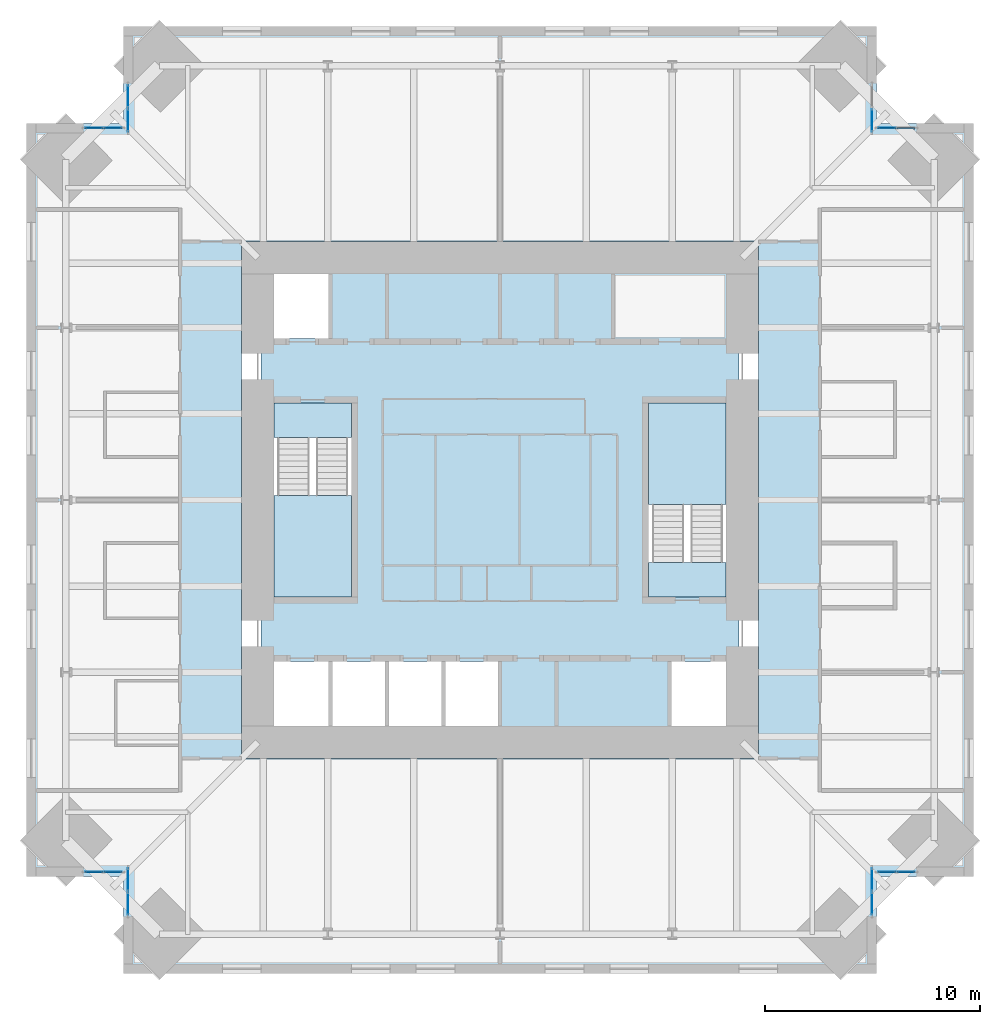
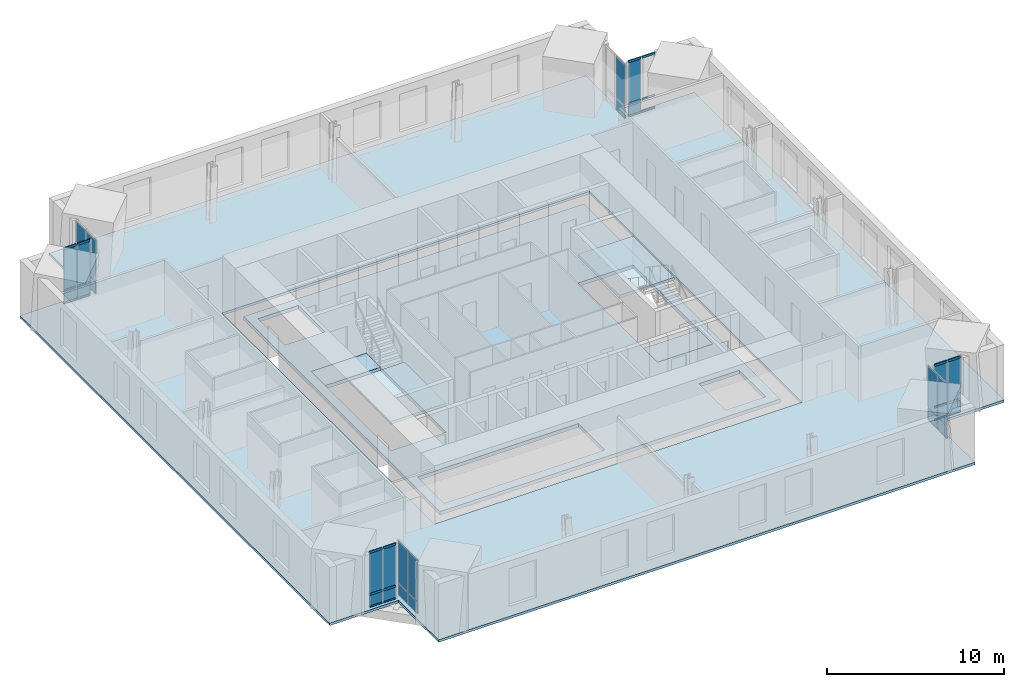
# One storey, part 10 of 16: 28 plates, 24 members, 6 slabs, 10 elements without a shape of their own.
"""IFC4 building model written with IfcOpenShell, lengths in metres."""

from ifc_helpers import new_model, si_unit, direction, frame, origin, origin_2d, place, context, subcontext, project, spatial, polyline, rectangle, hollow_rectangle, outline, extrude, material, layer, layer_set, material_profile, profile_set, type_object, element, aggregate, save


model = new_model("IFC4")

# Units and contexts
model_context = context("Model", 3, precision=1e-05, world=origin(), true_north=direction((0.0, 1.0)))
body_context = subcontext(model_context, "Body", "Model", "MODEL_VIEW")
ifc_project = project(units=[si_unit("LENGTHUNIT", "METRE"), si_unit("AREAUNIT", "SQUARE_METRE"), si_unit("VOLUMEUNIT", "CUBIC_METRE"), si_unit("PLANEANGLEUNIT", "RADIAN"), si_unit("MASSUNIT", "GRAM", prefix="KILO")], contexts=[model_context])

# Site, building, storey
site_placement = place(None, origin())
site = spatial("IfcSite", under=ifc_project, at=site_placement, CompositionType="ELEMENT")
building_placement = place(site_placement, origin())
building = spatial("IfcBuilding", under=site, at=building_placement, Name="Peilmerk Tower", CompositionType="ELEMENT")
storey_placement = place(building_placement, frame((0.0, 0.0, 265.800048828125)))
storey = spatial("IfcBuildingStorey", under=building, at=storey_placement, Name="L59", CompositionType="ELEMENT", Elevation=265.800048828125)

# Curtain wall, members
ifc_material_1 = material(Name="Aluminium stick curtain wall", Category="aluminium")
curtain_wall_type = type_object("IfcCurtainWallType", Name="CW4 stick curtain wall, 2250 module", PredefinedType="NOTDEFINED", material=ifc_material_1)
curtain_wall_1_placement = place(storey_placement, origin())
curtain_wall_1 = element("IfcCurtainWall", 1, at=curtain_wall_1_placement, inside=storey, type_object=curtain_wall_type, Name="Curtain wall CW4 NEB L59", PredefinedType="NOTDEFINED")
ifc_material_2 = material(Name="Aluminium EN AW-6063 T6", Category="aluminium")
ifc_material_profile = material_profile(ifc_material_2, hollow_rectangle(XDim=0.06494140625, YDim=0.14990234375, WallThickness=0.0029296875, at=origin_2d()), Name="AL 150x65x3")
ifc_profile_set = profile_set([ifc_material_profile], Name="Aluminium EN AW-6063 T6")
member_type = type_object("IfcMemberType", Name="CW4-T AL 150x65x3 transom", PredefinedType="USERDEFINED", material=ifc_profile_set)
member_1_placement = place(storey_placement, frame((17.56494140625, 17.27490234375, 0.032470703125), z_axis=(1.0, 0.0, 0.0), x_axis=(0.0, 1.0, 0.0)))
member_1 = element("IfcMember", 2, at=member_1_placement, type_object=member_type, Name="CW4 transom 1.1", ObjectType="TRANSOM", PredefinedType="USERDEFINED", context=body_context, shape_type="SweptSolid", body=[
    extrude(hollow_rectangle(XDim=0.06494140625, YDim=0.14990234375, WallThickness=0.0029296875, at=origin_2d()), origin(), (0.0, 0.0, 1.0), 0.82177734375),
])
member_2_placement = place(storey_placement, frame((17.56494140625, 17.27490234375, 0.89990234375), z_axis=(1.0, 0.0, 0.0), x_axis=(0.0, 1.0, 0.0)))
member_2 = element("IfcMember", 3, at=member_2_placement, type_object=member_type, Name="CW4 transom 1.2", ObjectType="TRANSOM", PredefinedType="USERDEFINED", context=body_context, shape_type="SweptSolid", body=[
    extrude(hollow_rectangle(XDim=0.06494140625, YDim=0.14990234375, WallThickness=0.0029296875, at=origin_2d()), origin(), (0.0, 0.0, 1.0), 0.82177734375),
])
member_3_placement = place(storey_placement, frame((17.56494140625, 17.27490234375, 3.79736328125), z_axis=(1.0, 0.0, 0.0), x_axis=(0.0, 1.0, 0.0)))
member_3 = element("IfcMember", 4, at=member_3_placement, type_object=member_type, Name="CW4 transom 1.3", ObjectType="TRANSOM", PredefinedType="USERDEFINED", context=body_context, shape_type="SweptSolid", body=[
    extrude(hollow_rectangle(XDim=0.06494140625, YDim=0.14990234375, WallThickness=0.0029296875, at=origin_2d()), origin(), (0.0, 0.0, 1.0), 0.82177734375),
])
member_4_placement = place(storey_placement, frame((18.451904296875, 17.27490234375, 0.032470703125), z_axis=(1.0, 0.0, 0.0), x_axis=(0.0, 1.0, 0.0)))
member_4 = element("IfcMember", 5, at=member_4_placement, type_object=member_type, Name="CW4 transom 2.1", ObjectType="TRANSOM", PredefinedType="USERDEFINED", context=body_context, shape_type="SweptSolid", body=[
    extrude(hollow_rectangle(XDim=0.06494140625, YDim=0.14990234375, WallThickness=0.0029296875, at=origin_2d()), origin(), (0.0, 0.0, 1.0), 0.82177734375),
])
member_5_placement = place(storey_placement, frame((18.451904296875, 17.27490234375, 0.89990234375), z_axis=(1.0, 0.0, 0.0), x_axis=(0.0, 1.0, 0.0)))
member_5 = element("IfcMember", 6, at=member_5_placement, type_object=member_type, Name="CW4 transom 2.2", ObjectType="TRANSOM", PredefinedType="USERDEFINED", context=body_context, shape_type="SweptSolid", body=[
    extrude(hollow_rectangle(XDim=0.06494140625, YDim=0.14990234375, WallThickness=0.0029296875, at=origin_2d()), origin(), (0.0, 0.0, 1.0), 0.82177734375),
])
member_6_placement = place(storey_placement, frame((18.451904296875, 17.27490234375, 3.79736328125), z_axis=(1.0, 0.0, 0.0), x_axis=(0.0, 1.0, 0.0)))
member_6 = element("IfcMember", 7, at=member_6_placement, type_object=member_type, Name="CW4 transom 2.3", ObjectType="TRANSOM", PredefinedType="USERDEFINED", context=body_context, shape_type="SweptSolid", body=[
    extrude(hollow_rectangle(XDim=0.06494140625, YDim=0.14990234375, WallThickness=0.0029296875, at=origin_2d()), origin(), (0.0, 0.0, 1.0), 0.82177734375),
])

curtain_wall_2_placement = place(storey_placement, origin())
curtain_wall_2 = element("IfcCurtainWall", 8, at=curtain_wall_2_placement, inside=storey, type_object=curtain_wall_type, Name="Curtain wall CW4 SEB L59", PredefinedType="NOTDEFINED")
member_7_placement = place(storey_placement, frame((17.56494140625, -17.27490234375, 0.032470703125), z_axis=(1.0, 0.0, 0.0), x_axis=(0.0, 1.0, 0.0)))
member_7 = element("IfcMember", 9, at=member_7_placement, type_object=member_type, Name="CW4 transom 1.1", ObjectType="TRANSOM", PredefinedType="USERDEFINED", context=body_context, shape_type="SweptSolid", body=[
    extrude(hollow_rectangle(XDim=0.06494140625, YDim=0.14990234375, WallThickness=0.0029296875, at=origin_2d()), origin(), (0.0, 0.0, 1.0), 0.82177734375),
])
member_8_placement = place(storey_placement, frame((17.56494140625, -17.27490234375, 0.89990234375), z_axis=(1.0, 0.0, 0.0), x_axis=(0.0, 1.0, 0.0)))
member_8 = element("IfcMember", 10, at=member_8_placement, type_object=member_type, Name="CW4 transom 1.2", ObjectType="TRANSOM", PredefinedType="USERDEFINED", context=body_context, shape_type="SweptSolid", body=[
    extrude(hollow_rectangle(XDim=0.06494140625, YDim=0.14990234375, WallThickness=0.0029296875, at=origin_2d()), origin(), (0.0, 0.0, 1.0), 0.82177734375),
])
member_9_placement = place(storey_placement, frame((17.56494140625, -17.27490234375, 3.79736328125), z_axis=(1.0, 0.0, 0.0), x_axis=(0.0, 1.0, 0.0)))
member_9 = element("IfcMember", 11, at=member_9_placement, type_object=member_type, Name="CW4 transom 1.3", ObjectType="TRANSOM", PredefinedType="USERDEFINED", context=body_context, shape_type="SweptSolid", body=[
    extrude(hollow_rectangle(XDim=0.06494140625, YDim=0.14990234375, WallThickness=0.0029296875, at=origin_2d()), origin(), (0.0, 0.0, 1.0), 0.82177734375),
])
member_10_placement = place(storey_placement, frame((18.451904296875, -17.27490234375, 0.032470703125), z_axis=(1.0, 0.0, 0.0), x_axis=(0.0, 1.0, 0.0)))
member_10 = element("IfcMember", 12, at=member_10_placement, type_object=member_type, Name="CW4 transom 2.1", ObjectType="TRANSOM", PredefinedType="USERDEFINED", context=body_context, shape_type="SweptSolid", body=[
    extrude(hollow_rectangle(XDim=0.06494140625, YDim=0.14990234375, WallThickness=0.0029296875, at=origin_2d()), origin(), (0.0, 0.0, 1.0), 0.82177734375),
])
member_11_placement = place(storey_placement, frame((18.451904296875, -17.27490234375, 0.89990234375), z_axis=(1.0, 0.0, 0.0), x_axis=(0.0, 1.0, 0.0)))
member_11 = element("IfcMember", 13, at=member_11_placement, type_object=member_type, Name="CW4 transom 2.2", ObjectType="TRANSOM", PredefinedType="USERDEFINED", context=body_context, shape_type="SweptSolid", body=[
    extrude(hollow_rectangle(XDim=0.06494140625, YDim=0.14990234375, WallThickness=0.0029296875, at=origin_2d()), origin(), (0.0, 0.0, 1.0), 0.82177734375),
])
member_12_placement = place(storey_placement, frame((18.451904296875, -17.27490234375, 3.79736328125), z_axis=(1.0, 0.0, 0.0), x_axis=(0.0, 1.0, 0.0)))
member_12 = element("IfcMember", 14, at=member_12_placement, type_object=member_type, Name="CW4 transom 2.3", ObjectType="TRANSOM", PredefinedType="USERDEFINED", context=body_context, shape_type="SweptSolid", body=[
    extrude(hollow_rectangle(XDim=0.06494140625, YDim=0.14990234375, WallThickness=0.0029296875, at=origin_2d()), origin(), (0.0, 0.0, 1.0), 0.82177734375),
])

curtain_wall_3_placement = place(storey_placement, origin())
curtain_wall_3 = element("IfcCurtainWall", 15, at=curtain_wall_3_placement, inside=storey, type_object=curtain_wall_type, Name="Curtain wall CW4 SWB L59", PredefinedType="NOTDEFINED")
member_13_placement = place(storey_placement, frame((-17.56494140625, -17.27490234375, 0.032470703125), z_axis=(-1.0, 0.0, 0.0), x_axis=(0.0, -1.0, 0.0)))
member_13 = element("IfcMember", 16, at=member_13_placement, type_object=member_type, Name="CW4 transom 1.1", ObjectType="TRANSOM", PredefinedType="USERDEFINED", context=body_context, shape_type="SweptSolid", body=[
    extrude(hollow_rectangle(XDim=0.06494140625, YDim=0.14990234375, WallThickness=0.0029296875, at=origin_2d()), origin(), (0.0, 0.0, 1.0), 0.82177734375),
])
member_14_placement = place(storey_placement, frame((-17.56494140625, -17.27490234375, 0.89990234375), z_axis=(-1.0, 0.0, 0.0), x_axis=(0.0, -1.0, 0.0)))
member_14 = element("IfcMember", 17, at=member_14_placement, type_object=member_type, Name="CW4 transom 1.2", ObjectType="TRANSOM", PredefinedType="USERDEFINED", context=body_context, shape_type="SweptSolid", body=[
    extrude(hollow_rectangle(XDim=0.06494140625, YDim=0.14990234375, WallThickness=0.0029296875, at=origin_2d()), origin(), (0.0, 0.0, 1.0), 0.82177734375),
])
member_15_placement = place(storey_placement, frame((-17.56494140625, -17.27490234375, 3.79736328125), z_axis=(-1.0, 0.0, 0.0), x_axis=(0.0, -1.0, 0.0)))
member_15 = element("IfcMember", 18, at=member_15_placement, type_object=member_type, Name="CW4 transom 1.3", ObjectType="TRANSOM", PredefinedType="USERDEFINED", context=body_context, shape_type="SweptSolid", body=[
    extrude(hollow_rectangle(XDim=0.06494140625, YDim=0.14990234375, WallThickness=0.0029296875, at=origin_2d()), origin(), (0.0, 0.0, 1.0), 0.82177734375),
])
member_16_placement = place(storey_placement, frame((-18.451904296875, -17.27490234375, 0.032470703125), z_axis=(-1.0, 0.0, 0.0), x_axis=(0.0, -1.0, 0.0)))
member_16 = element("IfcMember", 19, at=member_16_placement, type_object=member_type, Name="CW4 transom 2.1", ObjectType="TRANSOM", PredefinedType="USERDEFINED", context=body_context, shape_type="SweptSolid", body=[
    extrude(hollow_rectangle(XDim=0.06494140625, YDim=0.14990234375, WallThickness=0.0029296875, at=origin_2d()), origin(), (0.0, 0.0, 1.0), 0.82177734375),
])
member_17_placement = place(storey_placement, frame((-18.451904296875, -17.27490234375, 0.89990234375), z_axis=(-1.0, 0.0, 0.0), x_axis=(0.0, -1.0, 0.0)))
member_17 = element("IfcMember", 20, at=member_17_placement, type_object=member_type, Name="CW4 transom 2.2", ObjectType="TRANSOM", PredefinedType="USERDEFINED", context=body_context, shape_type="SweptSolid", body=[
    extrude(hollow_rectangle(XDim=0.06494140625, YDim=0.14990234375, WallThickness=0.0029296875, at=origin_2d()), origin(), (0.0, 0.0, 1.0), 0.82177734375),
])
member_18_placement = place(storey_placement, frame((-18.451904296875, -17.27490234375, 3.79736328125), z_axis=(-1.0, 0.0, 0.0), x_axis=(0.0, -1.0, 0.0)))
member_18 = element("IfcMember", 21, at=member_18_placement, type_object=member_type, Name="CW4 transom 2.3", ObjectType="TRANSOM", PredefinedType="USERDEFINED", context=body_context, shape_type="SweptSolid", body=[
    extrude(hollow_rectangle(XDim=0.06494140625, YDim=0.14990234375, WallThickness=0.0029296875, at=origin_2d()), origin(), (0.0, 0.0, 1.0), 0.82177734375),
])

curtain_wall_4_placement = place(storey_placement, origin())
curtain_wall_4 = element("IfcCurtainWall", 22, at=curtain_wall_4_placement, inside=storey, type_object=curtain_wall_type, Name="Curtain wall CW4 NWB L59", PredefinedType="NOTDEFINED")
member_19_placement = place(storey_placement, frame((-17.56494140625, 17.27490234375, 0.032470703125), z_axis=(-1.0, 0.0, 0.0), x_axis=(0.0, -1.0, 0.0)))
member_19 = element("IfcMember", 23, at=member_19_placement, type_object=member_type, Name="CW4 transom 1.1", ObjectType="TRANSOM", PredefinedType="USERDEFINED", context=body_context, shape_type="SweptSolid", body=[
    extrude(hollow_rectangle(XDim=0.06494140625, YDim=0.14990234375, WallThickness=0.0029296875, at=origin_2d()), origin(), (0.0, 0.0, 1.0), 0.82177734375),
])
member_20_placement = place(storey_placement, frame((-17.56494140625, 17.27490234375, 0.89990234375), z_axis=(-1.0, 0.0, 0.0), x_axis=(0.0, -1.0, 0.0)))
member_20 = element("IfcMember", 24, at=member_20_placement, type_object=member_type, Name="CW4 transom 1.2", ObjectType="TRANSOM", PredefinedType="USERDEFINED", context=body_context, shape_type="SweptSolid", body=[
    extrude(hollow_rectangle(XDim=0.06494140625, YDim=0.14990234375, WallThickness=0.0029296875, at=origin_2d()), origin(), (0.0, 0.0, 1.0), 0.82177734375),
])
member_21_placement = place(storey_placement, frame((-17.56494140625, 17.27490234375, 3.79736328125), z_axis=(-1.0, 0.0, 0.0), x_axis=(0.0, -1.0, 0.0)))
member_21 = element("IfcMember", 25, at=member_21_placement, type_object=member_type, Name="CW4 transom 1.3", ObjectType="TRANSOM", PredefinedType="USERDEFINED", context=body_context, shape_type="SweptSolid", body=[
    extrude(hollow_rectangle(XDim=0.06494140625, YDim=0.14990234375, WallThickness=0.0029296875, at=origin_2d()), origin(), (0.0, 0.0, 1.0), 0.82177734375),
])
member_22_placement = place(storey_placement, frame((-18.451904296875, 17.27490234375, 0.032470703125), z_axis=(-1.0, 0.0, 0.0), x_axis=(0.0, -1.0, 0.0)))
member_22 = element("IfcMember", 26, at=member_22_placement, type_object=member_type, Name="CW4 transom 2.1", ObjectType="TRANSOM", PredefinedType="USERDEFINED", context=body_context, shape_type="SweptSolid", body=[
    extrude(hollow_rectangle(XDim=0.06494140625, YDim=0.14990234375, WallThickness=0.0029296875, at=origin_2d()), origin(), (0.0, 0.0, 1.0), 0.82177734375),
])
member_23_placement = place(storey_placement, frame((-18.451904296875, 17.27490234375, 0.89990234375), z_axis=(-1.0, 0.0, 0.0), x_axis=(0.0, -1.0, 0.0)))
member_23 = element("IfcMember", 27, at=member_23_placement, type_object=member_type, Name="CW4 transom 2.2", ObjectType="TRANSOM", PredefinedType="USERDEFINED", context=body_context, shape_type="SweptSolid", body=[
    extrude(hollow_rectangle(XDim=0.06494140625, YDim=0.14990234375, WallThickness=0.0029296875, at=origin_2d()), origin(), (0.0, 0.0, 1.0), 0.82177734375),
])
member_24_placement = place(storey_placement, frame((-18.451904296875, 17.27490234375, 3.79736328125), z_axis=(-1.0, 0.0, 0.0), x_axis=(0.0, -1.0, 0.0)))
member_24 = element("IfcMember", 28, at=member_24_placement, type_object=member_type, Name="CW4 transom 2.3", ObjectType="TRANSOM", PredefinedType="USERDEFINED", context=body_context, shape_type="SweptSolid", body=[
    extrude(hollow_rectangle(XDim=0.06494140625, YDim=0.14990234375, WallThickness=0.0029296875, at=origin_2d()), origin(), (0.0, 0.0, 1.0), 0.82177734375),
])

# Slab
ifc_material_3 = material(Name="Concrete C55/67", Category="concrete")
ifc_layer_1 = layer(ifc_material_3, 0.25)
ifc_layer_set_1 = layer_set([ifc_layer_1], Name="Concrete C55/67")
slab_type_1 = type_object("IfcSlabType", Name="CS250 250 core floor slab", PredefinedType="FLOOR", material=ifc_layer_set_1)
slab_1_placement = place(storey_placement, frame((0.0, 0.0, -0.25)))
element("IfcSlab", 29, at=slab_1_placement, inside=storey, type_object=slab_type_1, Name="Core slab L59", PredefinedType="FLOOR", context=body_context, shape_type="SweptSolid", body=[
    extrude(outline(polyline([(11.10009765625, -11.10009765625), (11.10009765625, 11.10009765625), (-11.10009765625, 11.10009765625), (-11.10009765625, -11.10009765625), (11.10009765625, -11.10009765625)]), holes=[polyline([(-7.875, 7.5), (-10.5, 7.5), (-10.5, 10.5), (-7.875, 10.5), (-7.875, 7.5)]), polyline([(0.0, -10.5), (-10.5, -10.5), (-10.5, -7.5), (0.0, -7.5), (0.0, -10.5)]), polyline([(7.875, -10.5), (7.875, -7.5), (10.5, -7.5), (10.5, -10.5), (7.875, -10.5)]), polyline([(-10.5, 4.5), (-6.89990234375, 4.5), (-6.89990234375, -4.5), (-10.5, -4.5), (-10.5, 4.5)]), polyline([(10.5, 4.5), (10.5, -4.5), (6.89990234375, -4.5), (6.89990234375, 4.5), (10.5, 4.5)])]), origin(), (0.0, 0.0, 1.0), 0.25),
])

# Curtain wall, plates
curtain_wall_5_placement = place(storey_placement, origin())
curtain_wall_5 = element("IfcCurtainWall", 30, at=curtain_wall_5_placement, inside=storey, type_object=curtain_wall_type, Name="Curtain wall CW4 NEA L59", PredefinedType="NOTDEFINED")
ifc_material_4 = material(Name="Clear insulated glazing unit", Category="glass")
ifc_layer_2 = layer(ifc_material_4, 0.028076171875)
ifc_layer_set_2 = layer_set([ifc_layer_2], Name="Clear insulated glazing unit")
plate_type = type_object("IfcPlateType", Name="CW4-P 28 glazed panel", PredefinedType="CURTAIN_PANEL", material=ifc_layer_set_2)
plate_1_placement = place(storey_placement, frame((17.27490234375, 17.638427734375, 0.06494140625), z_axis=(0.0, 0.0, 1.0), x_axis=(0.0, 1.0, 0.0)))
plate_1 = element("IfcPlate", 31, at=plate_1_placement, type_object=plate_type, Name="CW4 panel 1.1", PredefinedType="CURTAIN_PANEL", context=body_context, shape_type="SweptSolid", body=[
    extrude(rectangle(XDim=1.046875, YDim=0.028076171875, at=origin_2d()), origin(), (0.0, 0.0, 1.0), 0.802490234375),
])
plate_2_placement = place(storey_placement, frame((17.27490234375, 17.638427734375, 0.932373046875), z_axis=(0.0, 0.0, 1.0), x_axis=(0.0, 1.0, 0.0)))
plate_2 = element("IfcPlate", 32, at=plate_2_placement, type_object=plate_type, Name="CW4 panel 1.2", PredefinedType="CURTAIN_PANEL", context=body_context, shape_type="SweptSolid", body=[
    extrude(rectangle(XDim=1.046875, YDim=0.028076171875, at=origin_2d()), origin(), (0.0, 0.0, 1.0), 2.83251953125),
])
aggregate(curtain_wall_5, [plate_1, plate_2])

# Plate
plate_3_placement = place(storey_placement, frame((17.975830078125, 17.27490234375, 0.06494140625), z_axis=(0.0, 0.0, 1.0), x_axis=(1.0, 0.0, 0.0)))
plate_3 = element("IfcPlate", 33, at=plate_3_placement, type_object=plate_type, Name="CW4 panel 1.1", PredefinedType="CURTAIN_PANEL", context=body_context, shape_type="SweptSolid", body=[
    extrude(rectangle(XDim=0.82177734375, YDim=0.028076171875, at=origin_2d()), origin(), (0.0, 0.0, 1.0), 0.802490234375),
])

plate_4_placement = place(storey_placement, frame((17.975830078125, 17.27490234375, 0.932373046875), z_axis=(0.0, 0.0, 1.0), x_axis=(1.0, 0.0, 0.0)))
plate_4 = element("IfcPlate", 34, at=plate_4_placement, type_object=plate_type, Name="CW4 panel 1.2", PredefinedType="CURTAIN_PANEL", context=body_context, shape_type="SweptSolid", body=[
    extrude(rectangle(XDim=0.82177734375, YDim=0.028076171875, at=origin_2d()), origin(), (0.0, 0.0, 1.0), 2.83251953125),
])

aggregate(curtain_wall_1, [member_1, member_2, member_3, plate_3, plate_4, member_4, member_5, member_6])

# Curtain wall, plates
curtain_wall_6_placement = place(storey_placement, origin())
curtain_wall_6 = element("IfcCurtainWall", 35, at=curtain_wall_6_placement, inside=storey, type_object=curtain_wall_type, Name="Curtain wall CW4 SEA L59", PredefinedType="NOTDEFINED")
plate_5_placement = place(storey_placement, frame((17.27490234375, -17.638427734375, 0.06494140625), z_axis=(0.0, 0.0, 1.0), x_axis=(0.0, -1.0, 0.0)))
plate_5 = element("IfcPlate", 36, at=plate_5_placement, type_object=plate_type, Name="CW4 panel 1.1", PredefinedType="CURTAIN_PANEL", context=body_context, shape_type="SweptSolid", body=[
    extrude(rectangle(XDim=1.046875, YDim=0.028076171875, at=origin_2d()), origin(), (0.0, 0.0, 1.0), 0.802490234375),
])
plate_6_placement = place(storey_placement, frame((17.27490234375, -17.638427734375, 0.932373046875), z_axis=(0.0, 0.0, 1.0), x_axis=(0.0, -1.0, 0.0)))
plate_6 = element("IfcPlate", 37, at=plate_6_placement, type_object=plate_type, Name="CW4 panel 1.2", PredefinedType="CURTAIN_PANEL", context=body_context, shape_type="SweptSolid", body=[
    extrude(rectangle(XDim=1.046875, YDim=0.028076171875, at=origin_2d()), origin(), (0.0, 0.0, 1.0), 2.83251953125),
])
plate_7_placement = place(storey_placement, frame((17.27490234375, -18.750244140625, 0.06494140625), z_axis=(0.0, 0.0, 1.0), x_axis=(0.0, -1.0, 0.0)))
plate_7 = element("IfcPlate", 38, at=plate_7_placement, type_object=plate_type, Name="CW4 panel 2.1", PredefinedType="CURTAIN_PANEL", context=body_context, shape_type="SweptSolid", body=[
    extrude(rectangle(XDim=1.046875, YDim=0.028076171875, at=origin_2d()), origin(), (0.0, 0.0, 1.0), 0.802490234375),
])
plate_8_placement = place(storey_placement, frame((17.27490234375, -18.750244140625, 0.932373046875), z_axis=(0.0, 0.0, 1.0), x_axis=(0.0, -1.0, 0.0)))
plate_8 = element("IfcPlate", 39, at=plate_8_placement, type_object=plate_type, Name="CW4 panel 2.2", PredefinedType="CURTAIN_PANEL", context=body_context, shape_type="SweptSolid", body=[
    extrude(rectangle(XDim=1.046875, YDim=0.028076171875, at=origin_2d()), origin(), (0.0, 0.0, 1.0), 2.83251953125),
])
aggregate(curtain_wall_6, [plate_5, plate_6, plate_7, plate_8])

# Plate
plate_9_placement = place(storey_placement, frame((17.975830078125, -17.27490234375, 0.06494140625), z_axis=(0.0, 0.0, 1.0), x_axis=(1.0, 0.0, 0.0)))
plate_9 = element("IfcPlate", 40, at=plate_9_placement, type_object=plate_type, Name="CW4 panel 1.1", PredefinedType="CURTAIN_PANEL", context=body_context, shape_type="SweptSolid", body=[
    extrude(rectangle(XDim=0.82177734375, YDim=0.028076171875, at=origin_2d()), origin(), (0.0, 0.0, 1.0), 0.802490234375),
])

plate_10_placement = place(storey_placement, frame((17.975830078125, -17.27490234375, 0.932373046875), z_axis=(0.0, 0.0, 1.0), x_axis=(1.0, 0.0, 0.0)))
plate_10 = element("IfcPlate", 41, at=plate_10_placement, type_object=plate_type, Name="CW4 panel 1.2", PredefinedType="CURTAIN_PANEL", context=body_context, shape_type="SweptSolid", body=[
    extrude(rectangle(XDim=0.82177734375, YDim=0.028076171875, at=origin_2d()), origin(), (0.0, 0.0, 1.0), 2.83251953125),
])

plate_11_placement = place(storey_placement, frame((18.86279296875, -17.27490234375, 0.06494140625), z_axis=(0.0, 0.0, 1.0), x_axis=(1.0, 0.0, 0.0)))
plate_11 = element("IfcPlate", 42, at=plate_11_placement, type_object=plate_type, Name="CW4 panel 2.1", PredefinedType="CURTAIN_PANEL", context=body_context, shape_type="SweptSolid", body=[
    extrude(rectangle(XDim=0.82177734375, YDim=0.028076171875, at=origin_2d()), origin(), (0.0, 0.0, 1.0), 0.802490234375),
])

plate_12_placement = place(storey_placement, frame((18.86279296875, -17.27490234375, 0.932373046875), z_axis=(0.0, 0.0, 1.0), x_axis=(1.0, 0.0, 0.0)))
plate_12 = element("IfcPlate", 43, at=plate_12_placement, type_object=plate_type, Name="CW4 panel 2.2", PredefinedType="CURTAIN_PANEL", context=body_context, shape_type="SweptSolid", body=[
    extrude(rectangle(XDim=0.82177734375, YDim=0.028076171875, at=origin_2d()), origin(), (0.0, 0.0, 1.0), 2.83251953125),
])

aggregate(curtain_wall_2, [member_7, member_8, member_9, plate_9, plate_10, member_10, member_11, member_12, plate_11, plate_12])

# Curtain wall, plates
curtain_wall_7_placement = place(storey_placement, origin())
curtain_wall_7 = element("IfcCurtainWall", 44, at=curtain_wall_7_placement, inside=storey, type_object=curtain_wall_type, Name="Curtain wall CW4 SWA L59", PredefinedType="NOTDEFINED")
plate_13_placement = place(storey_placement, frame((-17.27490234375, -17.638427734375, 0.06494140625), z_axis=(0.0, 0.0, 1.0), x_axis=(0.0, -1.0, 0.0)))
plate_13 = element("IfcPlate", 45, at=plate_13_placement, type_object=plate_type, Name="CW4 panel 1.1", PredefinedType="CURTAIN_PANEL", context=body_context, shape_type="SweptSolid", body=[
    extrude(rectangle(XDim=1.046875, YDim=0.028076171875, at=origin_2d()), origin(), (0.0, 0.0, 1.0), 0.802490234375),
])
plate_14_placement = place(storey_placement, frame((-17.27490234375, -17.638427734375, 0.932373046875), z_axis=(0.0, 0.0, 1.0), x_axis=(0.0, -1.0, 0.0)))
plate_14 = element("IfcPlate", 46, at=plate_14_placement, type_object=plate_type, Name="CW4 panel 1.2", PredefinedType="CURTAIN_PANEL", context=body_context, shape_type="SweptSolid", body=[
    extrude(rectangle(XDim=1.046875, YDim=0.028076171875, at=origin_2d()), origin(), (0.0, 0.0, 1.0), 2.83251953125),
])
plate_15_placement = place(storey_placement, frame((-17.27490234375, -18.750244140625, 0.06494140625), z_axis=(0.0, 0.0, 1.0), x_axis=(0.0, -1.0, 0.0)))
plate_15 = element("IfcPlate", 47, at=plate_15_placement, type_object=plate_type, Name="CW4 panel 2.1", PredefinedType="CURTAIN_PANEL", context=body_context, shape_type="SweptSolid", body=[
    extrude(rectangle(XDim=1.046875, YDim=0.028076171875, at=origin_2d()), origin(), (0.0, 0.0, 1.0), 0.802490234375),
])
plate_16_placement = place(storey_placement, frame((-17.27490234375, -18.750244140625, 0.932373046875), z_axis=(0.0, 0.0, 1.0), x_axis=(0.0, -1.0, 0.0)))
plate_16 = element("IfcPlate", 48, at=plate_16_placement, type_object=plate_type, Name="CW4 panel 2.2", PredefinedType="CURTAIN_PANEL", context=body_context, shape_type="SweptSolid", body=[
    extrude(rectangle(XDim=1.046875, YDim=0.028076171875, at=origin_2d()), origin(), (0.0, 0.0, 1.0), 2.83251953125),
])
aggregate(curtain_wall_7, [plate_13, plate_14, plate_15, plate_16])

# Plate
plate_17_placement = place(storey_placement, frame((-17.975830078125, -17.27490234375, 0.06494140625), z_axis=(0.0, 0.0, 1.0), x_axis=(-1.0, 0.0, 0.0)))
plate_17 = element("IfcPlate", 49, at=plate_17_placement, type_object=plate_type, Name="CW4 panel 1.1", PredefinedType="CURTAIN_PANEL", context=body_context, shape_type="SweptSolid", body=[
    extrude(rectangle(XDim=0.82177734375, YDim=0.028076171875, at=origin_2d()), origin(), (0.0, 0.0, 1.0), 0.802490234375),
])

plate_18_placement = place(storey_placement, frame((-17.975830078125, -17.27490234375, 0.932373046875), z_axis=(0.0, 0.0, 1.0), x_axis=(-1.0, 0.0, 0.0)))
plate_18 = element("IfcPlate", 50, at=plate_18_placement, type_object=plate_type, Name="CW4 panel 1.2", PredefinedType="CURTAIN_PANEL", context=body_context, shape_type="SweptSolid", body=[
    extrude(rectangle(XDim=0.82177734375, YDim=0.028076171875, at=origin_2d()), origin(), (0.0, 0.0, 1.0), 2.83251953125),
])

plate_19_placement = place(storey_placement, frame((-18.86279296875, -17.27490234375, 0.06494140625), z_axis=(0.0, 0.0, 1.0), x_axis=(-1.0, 0.0, 0.0)))
plate_19 = element("IfcPlate", 51, at=plate_19_placement, type_object=plate_type, Name="CW4 panel 2.1", PredefinedType="CURTAIN_PANEL", context=body_context, shape_type="SweptSolid", body=[
    extrude(rectangle(XDim=0.82177734375, YDim=0.028076171875, at=origin_2d()), origin(), (0.0, 0.0, 1.0), 0.802490234375),
])

plate_20_placement = place(storey_placement, frame((-18.86279296875, -17.27490234375, 0.932373046875), z_axis=(0.0, 0.0, 1.0), x_axis=(-1.0, 0.0, 0.0)))
plate_20 = element("IfcPlate", 52, at=plate_20_placement, type_object=plate_type, Name="CW4 panel 2.2", PredefinedType="CURTAIN_PANEL", context=body_context, shape_type="SweptSolid", body=[
    extrude(rectangle(XDim=0.82177734375, YDim=0.028076171875, at=origin_2d()), origin(), (0.0, 0.0, 1.0), 2.83251953125),
])

aggregate(curtain_wall_3, [member_13, member_14, member_15, plate_17, plate_18, member_16, member_17, member_18, plate_19, plate_20])

# Curtain wall, plates
curtain_wall_8_placement = place(storey_placement, origin())
curtain_wall_8 = element("IfcCurtainWall", 53, at=curtain_wall_8_placement, inside=storey, type_object=curtain_wall_type, Name="Curtain wall CW4 NWA L59", PredefinedType="NOTDEFINED")
plate_21_placement = place(storey_placement, frame((-17.27490234375, 17.638427734375, 0.06494140625), z_axis=(0.0, 0.0, 1.0), x_axis=(0.0, 1.0, 0.0)))
plate_21 = element("IfcPlate", 54, at=plate_21_placement, type_object=plate_type, Name="CW4 panel 1.1", PredefinedType="CURTAIN_PANEL", context=body_context, shape_type="SweptSolid", body=[
    extrude(rectangle(XDim=1.046875, YDim=0.028076171875, at=origin_2d()), origin(), (0.0, 0.0, 1.0), 0.802490234375),
])
plate_22_placement = place(storey_placement, frame((-17.27490234375, 17.638427734375, 0.932373046875), z_axis=(0.0, 0.0, 1.0), x_axis=(0.0, 1.0, 0.0)))
plate_22 = element("IfcPlate", 55, at=plate_22_placement, type_object=plate_type, Name="CW4 panel 1.2", PredefinedType="CURTAIN_PANEL", context=body_context, shape_type="SweptSolid", body=[
    extrude(rectangle(XDim=1.046875, YDim=0.028076171875, at=origin_2d()), origin(), (0.0, 0.0, 1.0), 2.83251953125),
])
plate_23_placement = place(storey_placement, frame((-17.27490234375, 18.750244140625, 0.06494140625), z_axis=(0.0, 0.0, 1.0), x_axis=(0.0, 1.0, 0.0)))
plate_23 = element("IfcPlate", 56, at=plate_23_placement, type_object=plate_type, Name="CW4 panel 2.1", PredefinedType="CURTAIN_PANEL", context=body_context, shape_type="SweptSolid", body=[
    extrude(rectangle(XDim=1.046875, YDim=0.028076171875, at=origin_2d()), origin(), (0.0, 0.0, 1.0), 0.802490234375),
])
plate_24_placement = place(storey_placement, frame((-17.27490234375, 18.750244140625, 0.932373046875), z_axis=(0.0, 0.0, 1.0), x_axis=(0.0, 1.0, 0.0)))
plate_24 = element("IfcPlate", 57, at=plate_24_placement, type_object=plate_type, Name="CW4 panel 2.2", PredefinedType="CURTAIN_PANEL", context=body_context, shape_type="SweptSolid", body=[
    extrude(rectangle(XDim=1.046875, YDim=0.028076171875, at=origin_2d()), origin(), (0.0, 0.0, 1.0), 2.83251953125),
])
aggregate(curtain_wall_8, [plate_21, plate_22, plate_23, plate_24])

# Plate
plate_25_placement = place(storey_placement, frame((-17.975830078125, 17.27490234375, 0.06494140625), z_axis=(0.0, 0.0, 1.0), x_axis=(-1.0, 0.0, 0.0)))
plate_25 = element("IfcPlate", 58, at=plate_25_placement, type_object=plate_type, Name="CW4 panel 1.1", PredefinedType="CURTAIN_PANEL", context=body_context, shape_type="SweptSolid", body=[
    extrude(rectangle(XDim=0.82177734375, YDim=0.028076171875, at=origin_2d()), origin(), (0.0, 0.0, 1.0), 0.802490234375),
])

plate_26_placement = place(storey_placement, frame((-17.975830078125, 17.27490234375, 0.932373046875), z_axis=(0.0, 0.0, 1.0), x_axis=(-1.0, 0.0, 0.0)))
plate_26 = element("IfcPlate", 59, at=plate_26_placement, type_object=plate_type, Name="CW4 panel 1.2", PredefinedType="CURTAIN_PANEL", context=body_context, shape_type="SweptSolid", body=[
    extrude(rectangle(XDim=0.82177734375, YDim=0.028076171875, at=origin_2d()), origin(), (0.0, 0.0, 1.0), 2.83251953125),
])

plate_27_placement = place(storey_placement, frame((-18.86279296875, 17.27490234375, 0.06494140625), z_axis=(0.0, 0.0, 1.0), x_axis=(-1.0, 0.0, 0.0)))
plate_27 = element("IfcPlate", 60, at=plate_27_placement, type_object=plate_type, Name="CW4 panel 2.1", PredefinedType="CURTAIN_PANEL", context=body_context, shape_type="SweptSolid", body=[
    extrude(rectangle(XDim=0.82177734375, YDim=0.028076171875, at=origin_2d()), origin(), (0.0, 0.0, 1.0), 0.802490234375),
])

plate_28_placement = place(storey_placement, frame((-18.86279296875, 17.27490234375, 0.932373046875), z_axis=(0.0, 0.0, 1.0), x_axis=(-1.0, 0.0, 0.0)))
plate_28 = element("IfcPlate", 61, at=plate_28_placement, type_object=plate_type, Name="CW4 panel 2.2", PredefinedType="CURTAIN_PANEL", context=body_context, shape_type="SweptSolid", body=[
    extrude(rectangle(XDim=0.82177734375, YDim=0.028076171875, at=origin_2d()), origin(), (0.0, 0.0, 1.0), 2.83251953125),
])

aggregate(curtain_wall_4, [member_19, member_20, member_21, plate_25, plate_26, member_22, member_23, member_24, plate_27, plate_28])

# Slab
ifc_material_5 = material(Name="Concrete C35/45", Category="concrete")
ifc_layer_3 = layer(ifc_material_5, 0.169921875)
ifc_layer_set_3 = layer_set([ifc_layer_3], Name="Concrete C35/45")
slab_type_2 = type_object("IfcSlabType", Name="FS170 170 composite floor slab", PredefinedType="FLOOR", material=ifc_layer_set_3)
slab_2_placement = place(storey_placement, frame((0.0, 0.0, -0.170166015625)))
element("IfcSlab", 62, at=slab_2_placement, inside=storey, type_object=slab_type_2, Name="Floor slab L59", PredefinedType="FLOOR", context=body_context, shape_type="SweptSolid", body=[
    extrude(outline(polyline([(-17.5, -22.0), (17.5, -22.0), (17.5, -17.5), (22.0, -17.5), (22.0, 17.5), (17.5, 17.5), (17.5, 22.0), (-17.5, 22.0), (-17.5, 17.5), (-22.0, 17.5), (-22.0, -17.5), (-17.5, -17.5), (-17.5, -22.0)]), holes=[polyline([(12.0, 12.0), (12.0, -12.0), (-12.0, -12.0), (-12.0, 12.0), (12.0, 12.0)])]), origin(), (0.0, 0.0, 1.0), 0.170166015625),
])

# Stair, slab
ifc_material_6 = material(Name="Precast concrete C45/55", Category="concrete")
stair_type_1 = type_object("IfcStairType", Name="ST1 22 risers of 181.8", PredefinedType="HALF_TURN_STAIR", material=ifc_material_6)
stair_1_placement = place(storey_placement, origin())
stair_1 = element("IfcStair", 63, at=stair_1_placement, inside=storey, type_object=stair_type_1, Name="Stair 1 L59 to L60", PredefinedType="HALF_TURN_STAIR")
ifc_layer_4 = layer(ifc_material_5, 0.199951171875)
ifc_layer_set_4 = layer_set([ifc_layer_4], Name="Concrete C35/45")
slab_type_3 = type_object("IfcSlabType", Name="SL1 200 concrete stair landing", PredefinedType="LANDING", material=ifc_layer_set_4)
slab_3_placement = place(storey_placement, frame((0.0, 0.0, 1.800048828125)))
slab_3 = element("IfcSlab", 64, at=slab_3_placement, type_object=slab_type_3, Name="ST1 landing 1", PredefinedType="LANDING", context=body_context, shape_type="SweptSolid", body=[
    extrude(outline(polyline([(-10.5, -4.5), (-6.89990234375, -4.5), (-6.89990234375, 0.199951171875), (-10.5, 0.199951171875), (-10.5, -4.5)])), origin(), (0.0, 0.0, 1.0), 0.199951171875),
])

stair_type_2 = type_object("IfcStairType", Name="ST2 22 risers of 181.8", PredefinedType="HALF_TURN_STAIR", material=ifc_material_6)
stair_2_placement = place(storey_placement, origin())
stair_2 = element("IfcStair", 65, at=stair_2_placement, inside=storey, type_object=stair_type_2, Name="Stair 2 L59 to L60", PredefinedType="HALF_TURN_STAIR")
slab_4_placement = place(storey_placement, frame((0.0, 0.0, 1.800048828125)))
slab_4 = element("IfcSlab", 66, at=slab_4_placement, type_object=slab_type_3, Name="ST2 landing 1", PredefinedType="LANDING", context=body_context, shape_type="SweptSolid", body=[
    extrude(outline(polyline([(6.89990234375, -0.199951171875), (10.5, -0.199951171875), (10.5, 4.5), (6.89990234375, 4.5), (6.89990234375, -0.199951171875)])), origin(), (0.0, 0.0, 1.0), 0.199951171875),
])

# Slab
ifc_layer_5 = layer(ifc_material_5, 0.25)
ifc_layer_set_5 = layer_set([ifc_layer_5], Name="Concrete C35/45")
slab_type_4 = type_object("IfcSlabType", Name="SL2 250 concrete floor landing", PredefinedType="LANDING", material=ifc_layer_set_5)
slab_5_placement = place(storey_placement, frame((0.0, 0.0, -0.25)))
slab_5 = element("IfcSlab", 67, at=slab_5_placement, type_object=slab_type_4, Name="ST1 floor landing", PredefinedType="LANDING", context=body_context, shape_type="SweptSolid", body=[
    extrude(outline(polyline([(-10.5, 2.89990234375), (-6.89990234375, 2.89990234375), (-6.89990234375, 4.5), (-10.5, 4.5), (-10.5, 2.89990234375)])), origin(), (0.0, 0.0, 1.0), 0.25),
])

aggregate(stair_1, [slab_3, slab_5])

slab_6_placement = place(storey_placement, frame((0.0, 0.0, -0.25)))
slab_6 = element("IfcSlab", 68, at=slab_6_placement, type_object=slab_type_4, Name="ST2 floor landing", PredefinedType="LANDING", context=body_context, shape_type="SweptSolid", body=[
    extrude(outline(polyline([(6.89990234375, -4.5), (10.5, -4.5), (10.5, -2.89990234375), (6.89990234375, -2.89990234375), (6.89990234375, -4.5)])), origin(), (0.0, 0.0, 1.0), 0.25),
])

aggregate(stair_2, [slab_4, slab_6])

save(model, "model.ifc")
